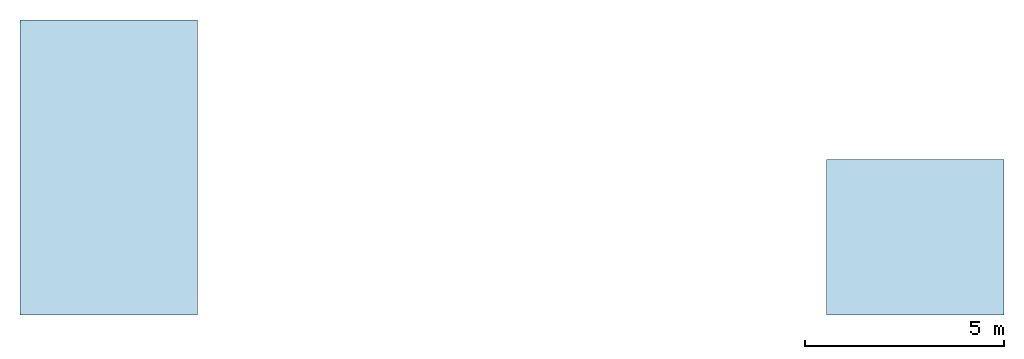
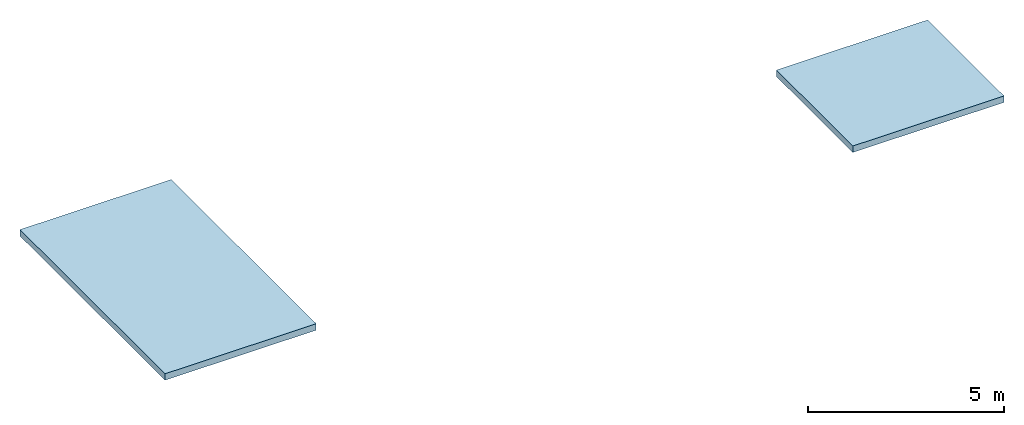
# One storey: 2 slabs.
"""IFC4 building model written with IfcOpenShell, lengths in metres."""

from ifc_helpers import new_model, si_unit, direction, frame, origin, place, context, subcontext, project, spatial, polyline, outline, extrude, material, layer, layer_set, type_object, element, save


model = new_model("IFC4")

# Units and contexts
model_context = context("Model", 3, precision=1e-05, world=origin(), true_north=direction((0.0, 1.0)))
body_context = subcontext(model_context, "Body", "Model", "MODEL_VIEW")
ifc_project = project(units=[si_unit("LENGTHUNIT", "METRE"), si_unit("AREAUNIT", "SQUARE_METRE"), si_unit("VOLUMEUNIT", "CUBIC_METRE"), si_unit("PLANEANGLEUNIT", "RADIAN"), si_unit("MASSUNIT", "GRAM", prefix="KILO")], contexts=[model_context])

# Site, building, storey
site_placement = place(None, origin())
site = spatial("IfcSite", under=ifc_project, at=site_placement, CompositionType="ELEMENT")
building_placement = place(site_placement, origin())
building = spatial("IfcBuilding", under=site, at=building_placement, Name="Madar Terraces", CompositionType="ELEMENT")
storey_placement = place(building_placement, frame((0.0, 0.0, 321.800048828125)))
storey = spatial("IfcBuildingStorey", under=building, at=storey_placement, Name="ROOF", CompositionType="ELEMENT", Elevation=321.800048828125)

# Slabs
ifc_material = material(Name="Concrete C40/50", Category="concrete")
ifc_layer = layer(ifc_material, 0.199951171875)
ifc_layer_set = layer_set([ifc_layer], Name="Lift shaft cover slab 200 C40/50")
slab_type = type_object("IfcSlabType", Name="Lift shaft cover slab 200 C40/50", PredefinedType="ROOF", material=ifc_layer_set)
slab_1_placement = place(storey_placement, origin())
element("IfcSlab", 1, at=slab_1_placement, inside=storey, type_object=slab_type, Name="LIFT SHAFT COVER SLAB", PredefinedType="ROOF", context=body_context, shape_type="SweptSolid", body=[
    extrude(outline(polyline([(18.85009765625, 24.050048828125), (23.300048828125, 24.050048828125), (23.300048828125, 31.449951171875), (18.85009765625, 31.449951171875), (18.85009765625, 24.050048828125)])), origin(), (0.0, 0.0, 1.0), 0.199951171875),
])
slab_2_placement = place(storey_placement, origin())
element("IfcSlab", 2, at=slab_2_placement, inside=storey, type_object=slab_type, Name="LIFT SHAFT COVER SLAB", PredefinedType="ROOF", context=body_context, shape_type="SweptSolid", body=[
    extrude(outline(polyline([(39.10009765625, 24.050048828125), (43.550048828125, 24.050048828125), (43.550048828125, 27.949951171875), (39.10009765625, 27.949951171875), (39.10009765625, 24.050048828125)])), origin(), (0.0, 0.0, 1.0), 0.199951171875),
])

save(model, "model.ifc")
